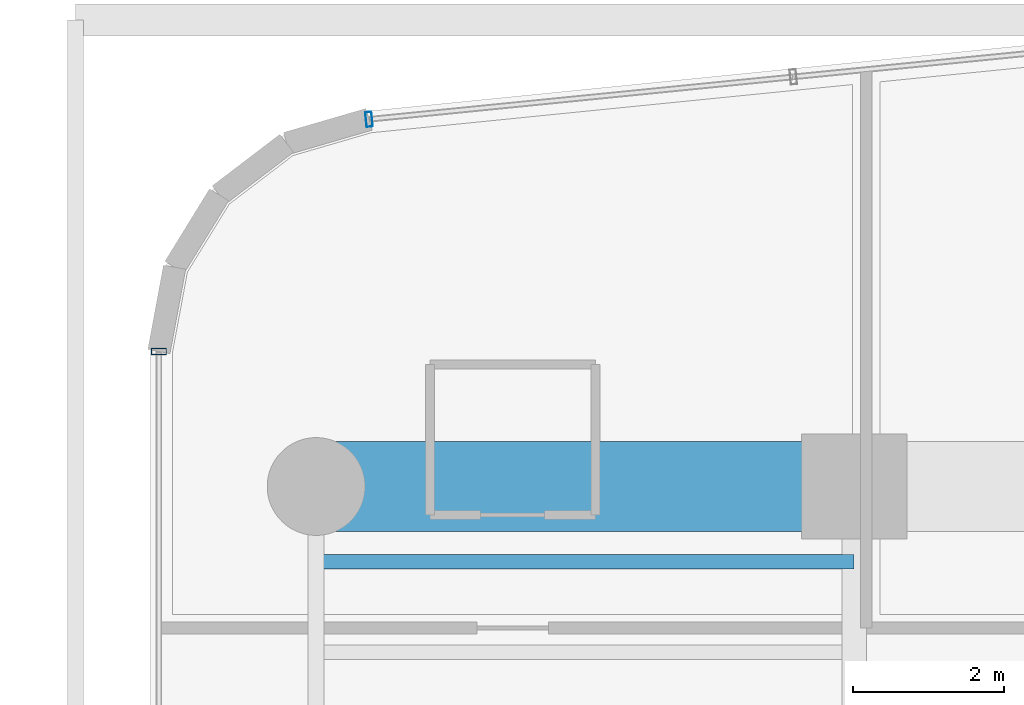
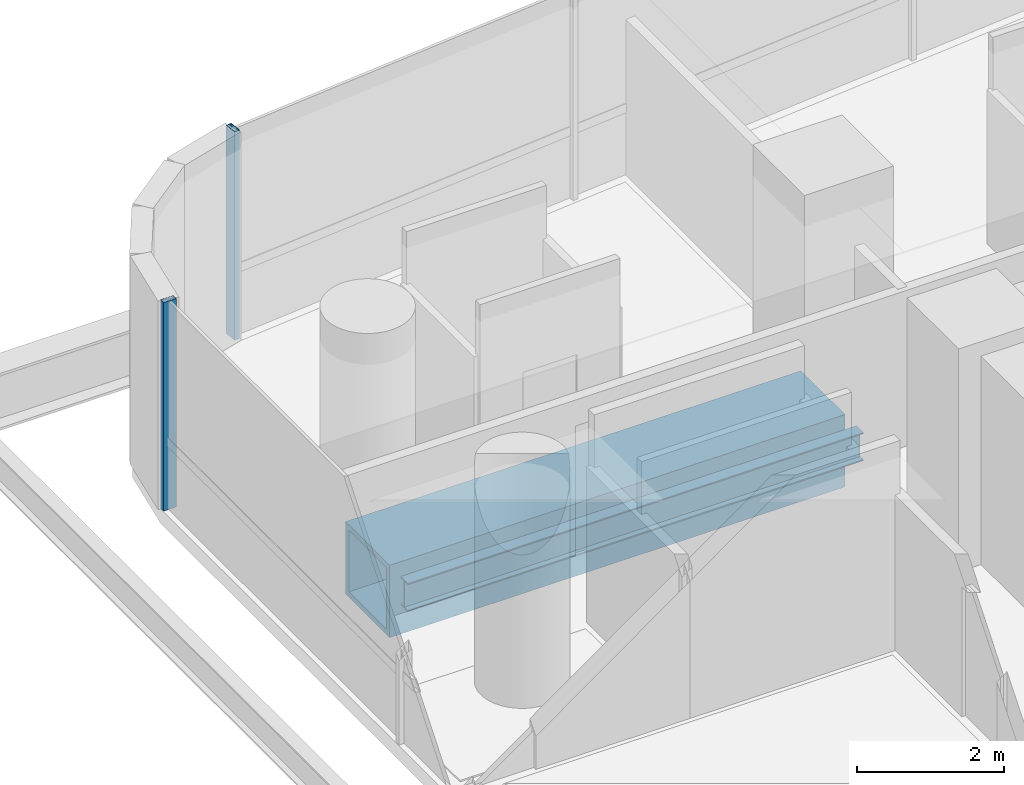
# One storey, part 21 of 50: 2 beams, 2 members, 2 elements without a shape of their own.
"""IFC4 building model written with IfcOpenShell, lengths in metres."""

from ifc_helpers import new_model, si_unit, direction, frame, origin, origin_2d, place, context, subcontext, project, spatial, hollow_rectangle, i_section, extrude, source, transform, mapped, material, material_profile, profile_set, type_object, element, aggregate, save


model = new_model("IFC4")

# Units and contexts
model_context = context("Model", 3, precision=1e-05, world=origin(), true_north=direction((0.0, 1.0)))
body_context = subcontext(model_context, "Body", "Model", "MODEL_VIEW")
ifc_project = project(units=[si_unit("LENGTHUNIT", "METRE"), si_unit("AREAUNIT", "SQUARE_METRE"), si_unit("VOLUMEUNIT", "CUBIC_METRE"), si_unit("PLANEANGLEUNIT", "RADIAN"), si_unit("MASSUNIT", "GRAM", prefix="KILO")], contexts=[model_context])

# Site, building, storey
site_placement = place(None, origin())
site = spatial("IfcSite", under=ifc_project, at=site_placement, CompositionType="ELEMENT")
building_placement = place(site_placement, origin())
building = spatial("IfcBuilding", under=site, at=building_placement, Name="Valdorenza Pilgrim Sanctuary Tower", CompositionType="ELEMENT")
storey_placement = place(building_placement, frame((0.0, 0.0, 26.0)))
storey = spatial("IfcBuildingStorey", under=building, at=storey_placement, Name="L05", CompositionType="ELEMENT", Elevation=26.0)

# Beams
ifc_material_1 = material(Name="Steel ASTM A992 Grade 50", Category="steel")
ifc_material_profile_1 = material_profile(ifc_material_1, i_section(OverallWidth=0.193115234375, OverallDepth=0.466064453125, WebThickness=0.011474609375, FlangeThickness=0.01904296875, at=origin_2d()), Name="W18X65")
ifc_profile_set_1 = profile_set([ifc_material_profile_1], Name="Steel ASTM A992 Grade 50")
beam_type_1 = type_object("IfcBeamType", Name="STR-BM-JST-W18A", PredefinedType="JOIST", material=ifc_profile_set_1)
shared_shape_1 = source(origin(), body_context, "Body", "SweptSolid", [
    extrude(i_section(OverallWidth=0.193115234375, OverallDepth=0.466064453125, WebThickness=0.011474609375, FlangeThickness=0.01904296875, at=origin_2d()), origin(), (0.0, 0.0, 1.0), 7.150146484375),
])
beam_1_placement = place(storey_placement, frame((-29.800048828125, 13.800048828125, -0.472900390625), z_axis=(1.0, 0.0, 0.0), x_axis=(0.0, 1.0, 0.0)))
element("IfcBeam", 1, at=beam_1_placement, inside=storey, type_object=beam_type_1, Name="L05 Composite Floor Joist JST-WA-26", PredefinedType="JOIST", context=body_context, shape_type="MappedRepresentation", body=[
    mapped(shared_shape_1, transform((0.0, 0.0, 0.0), x_axis=(1.0, 0.0, 0.0), y_axis=(0.0, 1.0, 0.0), z_axis=(0.0, 0.0, 1.0), scale=1.0)),
])
ifc_material_2 = material(Name="Steel ASTM A572 Grade 42", Category="steel")
ifc_material_profile_2 = material_profile(ifc_material_2, hollow_rectangle(XDim=1.199951171875, YDim=1.199951171875, WallThickness=0.090087890625, at=origin_2d()), Name="BOX 1200x1200x90")
ifc_profile_set_2 = profile_set([ifc_material_profile_2], Name="Steel ASTM A572 Grade 42")
beam_type_2 = type_object("IfcBeamType", Name="STR-BM-TRF-1200", PredefinedType="BEAM", material=ifc_profile_set_2)
shared_shape_2 = source(origin(), body_context, "Body", "SweptSolid", [
    extrude(hollow_rectangle(XDim=1.199951171875, YDim=1.199951171875, WallThickness=0.090087890625, at=origin_2d()), origin(), (0.0, 0.0, 1.0), 7.150146484375),
])
beam_2_placement = place(storey_placement, frame((-29.800048828125, 14.800048828125, -0.840087890625), z_axis=(1.0, 0.0, 0.0), x_axis=(0.0, 1.0, 0.0)))
element("IfcBeam", 2, at=beam_2_placement, inside=storey, type_object=beam_type_2, Name="L05 Transfer Girder WA-XW-N2", PredefinedType="BEAM", context=body_context, shape_type="MappedRepresentation", body=[
    mapped(shared_shape_2, transform((0.0, 0.0, 0.0), x_axis=(1.0, 0.0, 0.0), y_axis=(0.0, 1.0, 0.0), z_axis=(0.0, 0.0, 1.0), scale=1.0)),
])

# Curtain wall, member
ifc_material_3 = material(Name="Curtain-wall IGU glazing", Category="glass")
curtain_wall_type = type_object("IfcCurtainWallType", Name="CW-SYS-02", PredefinedType="NOTDEFINED", material=ifc_material_3)
curtain_wall_1_placement = place(storey_placement, origin())
curtain_wall_1 = element("IfcCurtainWall", 3, at=curtain_wall_1_placement, inside=storey, type_object=curtain_wall_type, Name="L05 Curtain Wall CW-L05-1-1S2", PredefinedType="NOTDEFINED")
ifc_material_4 = material(Name="Anodised aluminium AW-6060", Category="aluminium")
ifc_material_profile_3 = material_profile(ifc_material_4, hollow_rectangle(XDim=0.0849609375, YDim=0.199951171875, WallThickness=0.0048828125, at=origin_2d()), Name="ALU-M 200x85x5")
ifc_profile_set_3 = profile_set([ifc_material_profile_3], Name="Anodised aluminium AW-6060")
member_type = type_object("IfcMemberType", Name="CW-MUL-02", PredefinedType="MULLION", material=ifc_profile_set_3)
shared_shape_3 = source(origin(), body_context, "Body", "SweptSolid", [
    extrude(hollow_rectangle(XDim=0.0849609375, YDim=0.199951171875, WallThickness=0.0048828125, at=origin_2d()), origin(), (0.0, 0.0, 1.0), 3.4599609375),
])
member_1_placement = place(storey_placement, frame((-31.889892578125, 16.593994140625, 0.0), z_axis=(0.0, 0.0, 1.0), x_axis=(0.0, 1.0, 0.0)))
member_1 = element("IfcMember", 4, at=member_1_placement, type_object=member_type, Name="CW-L05-1-1S2 Mullion 4", PredefinedType="MULLION", context=body_context, shape_type="MappedRepresentation", body=[
    mapped(shared_shape_3, transform((0.0, 0.0, 0.0), x_axis=(1.0, 0.0, 0.0), y_axis=(0.0, 1.0, 0.0), z_axis=(0.0, 0.0, 1.0), scale=1.0)),
])
aggregate(curtain_wall_1, [member_1])

curtain_wall_2_placement = place(storey_placement, origin())
curtain_wall_2 = element("IfcCurtainWall", 5, at=curtain_wall_2_placement, inside=storey, type_object=curtain_wall_type, Name="L05 Curtain Wall CW-L05-1-6", PredefinedType="NOTDEFINED")
member_2_placement = place(storey_placement, frame((-29.097412109375, 19.6796875, 0.0), z_axis=(0.0, 0.0, 1.0), x_axis=(0.995038220239, 0.099493418189, 0.0)))
member_2 = element("IfcMember", 6, at=member_2_placement, type_object=member_type, Name="CW-L05-1-6 Mullion 1", PredefinedType="MULLION", context=body_context, shape_type="MappedRepresentation", body=[
    mapped(shared_shape_3, transform((0.0, 0.0, 0.0), x_axis=(1.0, 0.0, 0.0), y_axis=(0.0, 1.0, 0.0), z_axis=(0.0, 0.0, 1.0), scale=1.0)),
])
aggregate(curtain_wall_2, [member_2])

save(model, "model.ifc")
